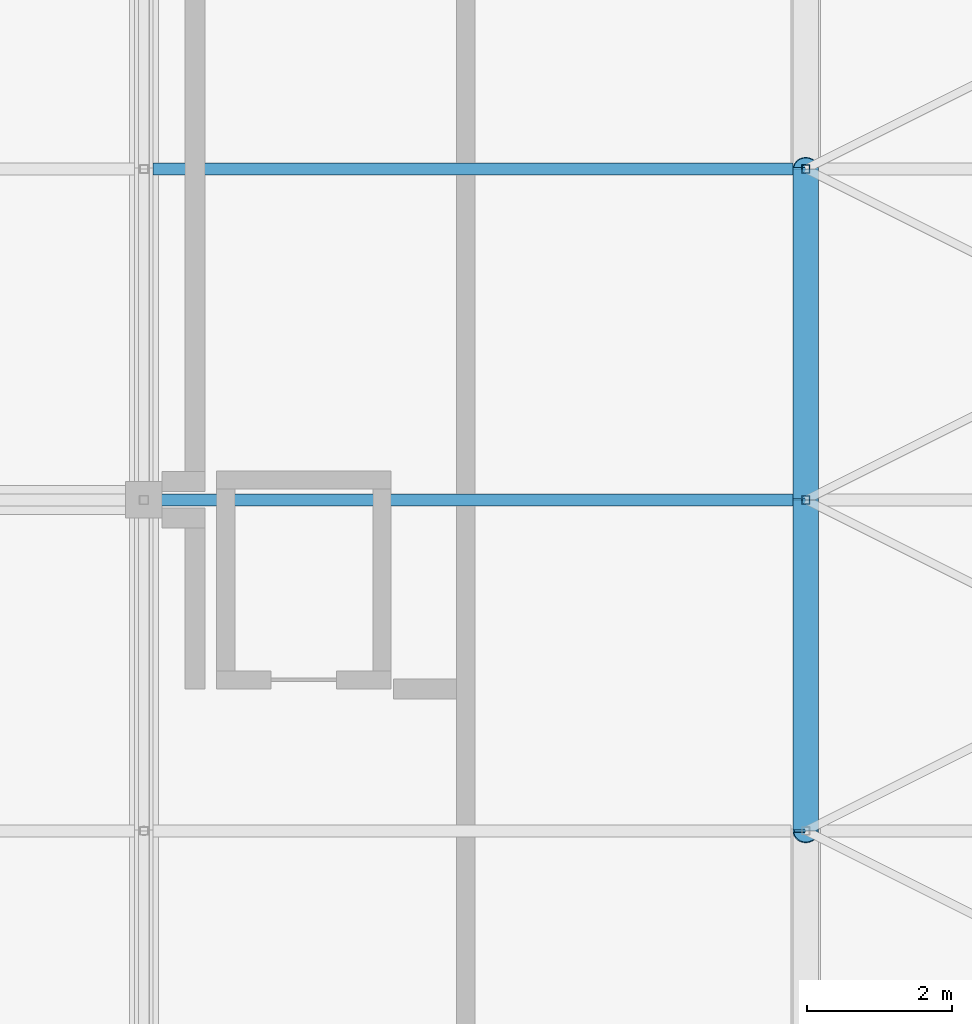
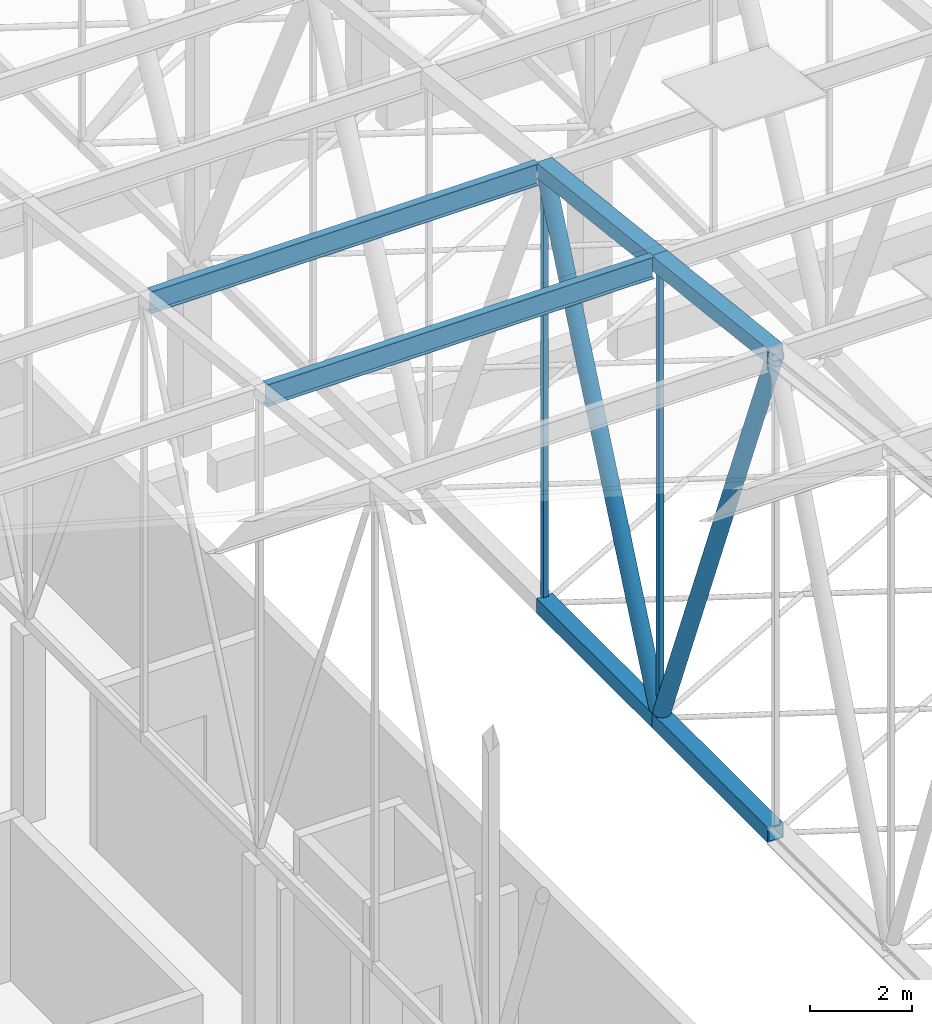
# One storey, part 216 of 500: 10 members.
"""IFC4 building model written with IfcOpenShell, lengths in metres."""

from ifc_helpers import new_model, si_unit, direction, frame, origin, origin_2d, place, context, subcontext, project, spatial, hollow_rectangle, hollow_circle, i_section, extrude, material, material_profile, profile_set, type_object, element, save


model = new_model("IFC4")

# Units and contexts
model_context = context("Model", 3, precision=1e-05, world=origin(), true_north=direction((0.0, 1.0)))
body_context = subcontext(model_context, "Body", "Model", "MODEL_VIEW")
ifc_project = project(units=[si_unit("LENGTHUNIT", "METRE"), si_unit("AREAUNIT", "SQUARE_METRE"), si_unit("VOLUMEUNIT", "CUBIC_METRE"), si_unit("PLANEANGLEUNIT", "RADIAN"), si_unit("MASSUNIT", "GRAM", prefix="KILO")], contexts=[model_context])

# Site, building, storey
site_placement = place(None, origin())
site = spatial("IfcSite", under=ifc_project, at=site_placement, CompositionType="ELEMENT")
building_placement = place(site_placement, origin())
building = spatial("IfcBuilding", under=site, at=building_placement, Name="Shirokan Park Arena", CompositionType="ELEMENT")
storey_placement = place(building_placement, frame((0.0, 0.0, 29.1201171875)))
storey = spatial("IfcBuildingStorey", under=building, at=storey_placement, Name="L06", CompositionType="ELEMENT", Elevation=29.1201171875)

# Members
ifc_material_1 = material(Name="Steel S355J2H", Category="steel")
ifc_material_profile_1 = material_profile(ifc_material_1, hollow_rectangle(XDim=0.35595703125, YDim=0.35595703125, WallThickness=0.025390625, at=origin_2d()), Name="HSS355.6X355.6X25.4")
ifc_profile_set_1 = profile_set([ifc_material_profile_1], Name="Steel S355J2H")
member_type_1 = type_object("IfcMemberType", Name="Bottom chord HSS355.6X355.6X25.4", PredefinedType="CHORD", material=ifc_profile_set_1)
member_1_placement = place(storey_placement, frame((45.5, 77.35009765625, 4.677001953125), z_axis=(0.0, 1.0, 0.0), x_axis=(-1.0, 0.0, 0.0)))
element("IfcMember", 1, at=member_1_placement, inside=storey, type_object=member_type_1, Name="Truss T06 bottom chord 20", PredefinedType="CHORD", context=body_context, shape_type="SweptSolid", body=[
    extrude(hollow_rectangle(XDim=0.35595703125, YDim=0.35595703125, WallThickness=0.025390625, at=origin_2d()), origin(), (0.0, 0.0, 1.0), 4.5498046875),
])
member_2_placement = place(storey_placement, frame((45.5, 81.89990234375, 4.677001953125), z_axis=(0.0, 1.0, 0.0), x_axis=(-1.0, 0.0, 0.0)))
element("IfcMember", 2, at=member_2_placement, inside=storey, type_object=member_type_1, Name="Truss T06 bottom chord 21", PredefinedType="CHORD", context=body_context, shape_type="SweptSolid", body=[
    extrude(hollow_rectangle(XDim=0.35595703125, YDim=0.35595703125, WallThickness=0.025390625, at=origin_2d()), origin(), (0.0, 0.0, 1.0), 4.550048828125),
])
ifc_material_2 = material(Name="Steel ASTM A992", Category="steel")
ifc_material_profile_2 = material_profile(ifc_material_2, i_section(OverallWidth=0.166015625, OverallDepth=0.528076171875, WebThickness=0.009765625, FlangeThickness=0.013671875, at=origin_2d()), Name="W530X74")
ifc_profile_set_2 = profile_set([ifc_material_profile_2], Name="Steel ASTM A992")
member_type_2 = type_object("IfcMemberType", Name="Purlin W530X74", PredefinedType="PURLIN", material=ifc_profile_set_2)
for number, where, z_axis, x_axis, name in (
    (3, (36.527099609375, 81.89990234375, 15.60595703125), (1.0, 0.0, 0.0), (0.0, 1.0, 0.0), "Purlin 21 bay 5"),
    (4, (36.527099609375, 86.449951171875, 15.0859375), (1.0, 0.0, 0.0), (0.0, 1.0, 0.0), "Purlin 22 bay 5"),
):
    element("IfcMember", number, at=place(storey_placement, frame(where, z_axis=z_axis, x_axis=x_axis)), inside=storey, type_object=member_type_2, Name=name, PredefinedType="PURLIN", context=body_context, shape_type="SweptSolid", body=[
        extrude(i_section(OverallWidth=0.166015625, OverallDepth=0.528076171875, WebThickness=0.009765625, FlangeThickness=0.013671875, at=origin_2d()), origin(), (0.0, 0.0, 1.0), 8.794921875),
    ])
ifc_material_profile_3 = material_profile(ifc_material_1, hollow_rectangle(XDim=0.35595703125, YDim=0.35595703125, WallThickness=0.025390625, at=origin_2d()), Name="HSS355.6X355.6X25.4")
ifc_profile_set_3 = profile_set([ifc_material_profile_3], Name="Steel S355J2H")
member_type_3 = type_object("IfcMemberType", Name="Top chord HSS355.6X355.6X25.4", PredefinedType="CHORD", material=ifc_profile_set_3)
member_3_placement = place(storey_placement, frame((45.5, 77.35009765625, 16.181396484375), z_axis=(0.0, 0.993531641592, -0.11355561261), x_axis=(-1.0, 0.0, 0.0)))
element("IfcMember", 5, at=member_3_placement, inside=storey, type_object=member_type_3, Name="Truss T06 top chord 20", PredefinedType="CHORD", context=body_context, shape_type="SweptSolid", body=[
    extrude(hollow_rectangle(XDim=0.35595703125, YDim=0.35595703125, WallThickness=0.025390625, at=origin_2d()), origin(), (0.0, 0.0, 1.0), 4.579345703125),
])
member_4_placement = place(storey_placement, frame((45.5, 81.89990234375, 15.661376953125), z_axis=(0.0, 0.993532328996, -0.113549598152), x_axis=(-1.0, 0.0, 0.0)))
element("IfcMember", 6, at=member_4_placement, inside=storey, type_object=member_type_3, Name="Truss T06 top chord 21", PredefinedType="CHORD", context=body_context, shape_type="SweptSolid", body=[
    extrude(hollow_rectangle(XDim=0.35595703125, YDim=0.35595703125, WallThickness=0.025390625, at=origin_2d()), origin(), (0.0, 0.0, 1.0), 4.57958984375),
])
ifc_material_3 = material(Name="Steel ASTM A500 Grade C", Category="steel")
ifc_material_profile_4 = material_profile(ifc_material_3, hollow_circle(Radius=0.177978515625, WallThickness=0.0126953125, at=origin_2d()), Name="HSS355.6X12.7")
ifc_profile_set_4 = profile_set([ifc_material_profile_4], Name="Steel ASTM A500 Grade C")
member_type_4 = type_object("IfcMemberType", Name="Truss diagonal HSS355.6X12.7", PredefinedType="BRACE", material=ifc_profile_set_4)
member_5_placement = place(storey_placement, frame((45.5, 77.35009765625, 16.181396484375), z_axis=(0.0, 0.367767637573, -0.929917719346), x_axis=(-1.0, 0.0, 0.0)))
element("IfcMember", 7, at=member_5_placement, inside=storey, type_object=member_type_4, Name="Truss T06 diagonal 20", PredefinedType="BRACE", context=body_context, shape_type="SweptSolid", body=[
    extrude(hollow_circle(Radius=0.177978515625, WallThickness=0.0126953125, at=origin_2d()), origin(), (0.0, 0.0, 1.0), 12.371337890625),
])
member_6_placement = place(storey_placement, frame((45.5, 81.89990234375, 4.677001953125), z_axis=(0.0, 0.398750364192, 0.917059511186), x_axis=(-1.0, 0.0, 0.0)))
element("IfcMember", 8, at=member_6_placement, inside=storey, type_object=member_type_4, Name="Truss T06 diagonal 21", PredefinedType="BRACE", context=body_context, shape_type="SweptSolid", body=[
    extrude(hollow_circle(Radius=0.177978515625, WallThickness=0.0126953125, at=origin_2d()), origin(), (0.0, 0.0, 1.0), 11.410888671875),
])
ifc_material_profile_5 = material_profile(ifc_material_3, hollow_rectangle(XDim=0.114013671875, YDim=0.114013671875, WallThickness=0.00634765625, at=origin_2d()), Name="HSS114.3X114.3X6.4")
ifc_profile_set_5 = profile_set([ifc_material_profile_5], Name="Steel ASTM A500 Grade C")
member_type_5 = type_object("IfcMemberType", Name="Truss post HSS114.3X114.3X6.4", PredefinedType="POST", material=ifc_profile_set_5)
member_7_placement = place(storey_placement, frame((45.5, 81.89990234375, 4.677001953125), z_axis=(0.0, 0.0, 1.0), x_axis=(1.0, 0.0, 0.0)))
element("IfcMember", 9, at=member_7_placement, inside=storey, type_object=member_type_5, Name="Truss T06 post 21", PredefinedType="POST", context=body_context, shape_type="SweptSolid", body=[
    extrude(hollow_rectangle(XDim=0.114013671875, YDim=0.114013671875, WallThickness=0.00634765625, at=origin_2d()), origin(), (0.0, 0.0, 1.0), 10.984375),
])
member_8_placement = place(storey_placement, frame((45.5, 86.449951171875, 4.677001953125), z_axis=(0.0, 0.0, 1.0), x_axis=(1.0, 0.0, 0.0)))
element("IfcMember", 10, at=member_8_placement, inside=storey, type_object=member_type_5, Name="Truss T06 post 22", PredefinedType="POST", context=body_context, shape_type="SweptSolid", body=[
    extrude(hollow_rectangle(XDim=0.114013671875, YDim=0.114013671875, WallThickness=0.00634765625, at=origin_2d()), origin(), (0.0, 0.0, 1.0), 10.46435546875),
])

save(model, "model.ifc")
